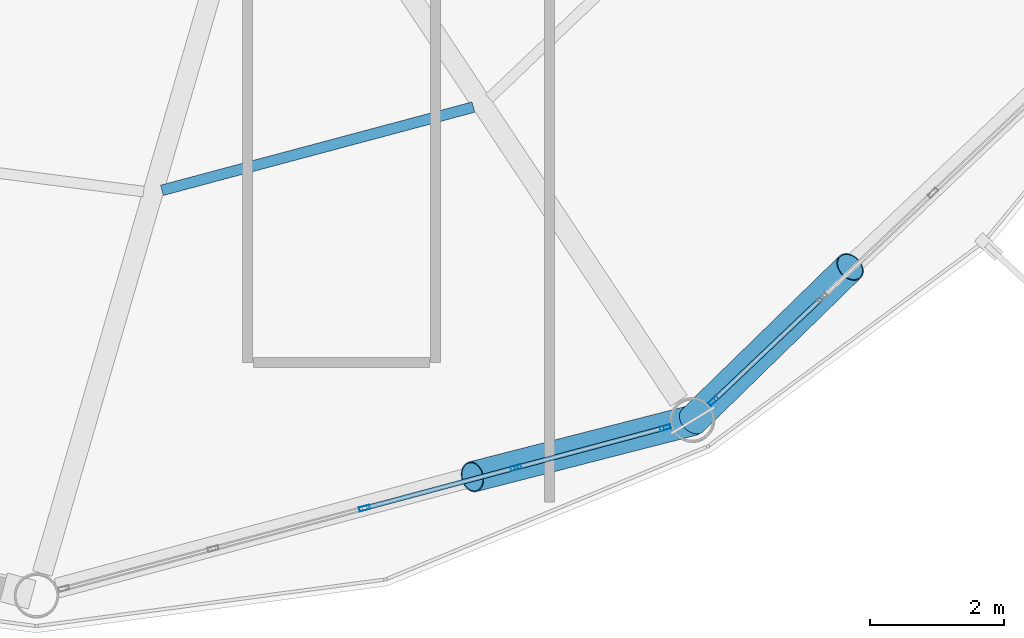
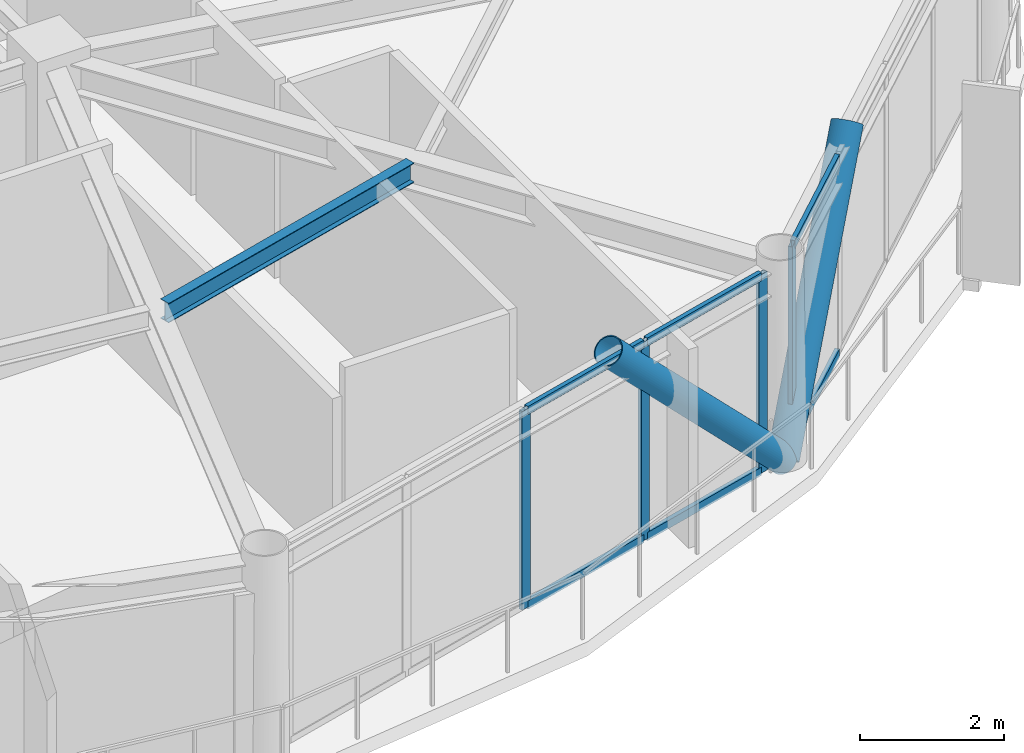
# One storey, part 9 of 29: 12 members, 1 beam, 2 elements without a shape of their own.
"""IFC4 building model written with IfcOpenShell, lengths in metres."""

from ifc_helpers import new_model, si_unit, direction, frame, origin, origin_2d, place, context, subcontext, project, spatial, hollow_rectangle, hollow_circle, i_section, extrude, material, layer, layer_set, material_profile, profile_set, type_object, element, aggregate, save


model = new_model("IFC4")

# Units and contexts
model_context = context("Model", 3, precision=1e-05, world=origin(), true_north=direction((0.0, 1.0)))
body_context = subcontext(model_context, "Body", "Model", "MODEL_VIEW")
ifc_project = project(units=[si_unit("LENGTHUNIT", "METRE"), si_unit("AREAUNIT", "SQUARE_METRE"), si_unit("VOLUMEUNIT", "CUBIC_METRE"), si_unit("PLANEANGLEUNIT", "RADIAN"), si_unit("MASSUNIT", "GRAM", prefix="KILO")], contexts=[model_context])

# Site, building, storey
site_placement = place(None, origin())
site = spatial("IfcSite", under=ifc_project, at=site_placement, CompositionType="ELEMENT")
building_placement = place(site_placement, origin())
building = spatial("IfcBuilding", under=site, at=building_placement, Name="Varnakorn Sky Granary", CompositionType="ELEMENT")
storey_placement = place(building_placement, frame((0.0, 0.0, 182.39990234375)))
storey = spatial("IfcBuildingStorey", under=building, at=storey_placement, Name="L45", CompositionType="ELEMENT", Elevation=182.39990234375)

# Beam
ifc_material_1 = material(Name="Steel S355JR", Category="steel")
ifc_material_profile_1 = material_profile(ifc_material_1, i_section(OverallWidth=0.159912109375, OverallDepth=0.330078125, WebThickness=0.007568359375, FlangeThickness=0.011474609375, at=origin_2d()), Name="IPE 330")
ifc_profile_set_1 = profile_set([ifc_material_profile_1], Name="Steel S355JR")
beam_type = type_object("IfcBeamType", Name="BM-SEC-Z4", PredefinedType="BEAM", material=ifc_profile_set_1)
beam_placement = place(storey_placement, frame((6.72265625, -12.631103515625, 3.195068359375), z_axis=(0.966103338675, 0.258155648787, 0.0), x_axis=(-0.258155648787, 0.966103338675, 0.0)))
element("IfcBeam", 1, at=beam_placement, inside=storey, type_object=beam_type, Name="Secondary Floor Chord Beam MSB10 L45", PredefinedType="BEAM", context=body_context, shape_type="SweptSolid", body=[
    extrude(i_section(OverallWidth=0.159912109375, OverallDepth=0.330078125, WebThickness=0.007568359375, FlangeThickness=0.011474609375, at=origin_2d()), origin(), (0.0, 0.0, 1.0), 4.80810546875),
])

# Curtain wall, members
ifc_material_2 = material(Name="Anodised Bronze Aluminium Alloy 6063-T6", Category="aluminium")
ifc_layer = layer(ifc_material_2, 0.169921875, Name="Anodised Bronze Aluminium Alloy 6063-T6")
ifc_layer_set = layer_set([ifc_layer], Name="Anodised Bronze Aluminium Alloy 6063-T6")
curtain_wall_type = type_object("IfcCurtainWallType", Name="CW-LAB-1", PredefinedType="USERDEFINED", material=ifc_layer_set)
curtain_wall_1_placement = place(storey_placement, origin())
curtain_wall_1 = element("IfcCurtainWall", 2, at=curtain_wall_1_placement, inside=storey, type_object=curtain_wall_type, Name="Unitised Curtain Wall CW5 CW-L45-B10", ObjectType="CURTAIN WALL", PredefinedType="USERDEFINED")
ifc_material_profile_2 = material_profile(ifc_material_2, hollow_rectangle(XDim=0.06494140625, YDim=0.159912109375, WallThickness=0.00341796875, at=origin_2d()), Name="ALU MULL 65x160")
ifc_profile_set_2 = profile_set([ifc_material_profile_2], Name="Anodised Bronze Aluminium Alloy 6063-T6")
member_type_1 = type_object("IfcMemberType", Name="CW-LAB-1-MULL", PredefinedType="MULLION", material=ifc_profile_set_2)
member_1_placement = place(storey_placement, frame((14.23193359375, -16.17138671875, 0.0), z_axis=(0.0, 0.0, 1.0), x_axis=(0.25850488691, -0.966009949971, 0.0)))
member_1 = element("IfcMember", 3, at=member_1_placement, type_object=member_type_1, Name="CW5 mullion 1", PredefinedType="MULLION", context=body_context, shape_type="SweptSolid", body=[
    extrude(hollow_rectangle(XDim=0.06494140625, YDim=0.159912109375, WallThickness=0.00341796875, at=origin_2d()), origin(), (0.0, 0.0, 1.0), 3.360107421875),
])
member_2_placement = place(storey_placement, frame((12.004150390625, -16.767578125, 0.0), z_axis=(0.0, 0.0, 1.0), x_axis=(0.25850488691, -0.966009949971, 0.0)))
member_2 = element("IfcMember", 4, at=member_2_placement, type_object=member_type_1, Name="CW5 mullion 2", PredefinedType="MULLION", context=body_context, shape_type="SweptSolid", body=[
    extrude(hollow_rectangle(XDim=0.06494140625, YDim=0.159912109375, WallThickness=0.00341796875, at=origin_2d()), origin(), (0.0, 0.0, 1.0), 3.360107421875),
])
member_3_placement = place(storey_placement, frame((9.7451171875, -17.3720703125, 0.0), z_axis=(0.0, 0.0, 1.0), x_axis=(0.25850488691, -0.966009949971, 0.0)))
member_3 = element("IfcMember", 5, at=member_3_placement, type_object=member_type_1, Name="CW5 mullion 3", PredefinedType="MULLION", context=body_context, shape_type="SweptSolid", body=[
    extrude(hollow_rectangle(XDim=0.06494140625, YDim=0.159912109375, WallThickness=0.00341796875, at=origin_2d()), origin(), (0.0, 0.0, 1.0), 3.360107421875),
])

# Curtain wall, member
curtain_wall_2_placement = place(storey_placement, origin())
curtain_wall_2 = element("IfcCurtainWall", 6, at=curtain_wall_2_placement, inside=storey, type_object=curtain_wall_type, Name="Unitised Curtain Wall CW5 CW-L45-B11", ObjectType="CURTAIN WALL", PredefinedType="USERDEFINED")
member_4_placement = place(storey_placement, frame((14.94677734375, -15.771728515625, 0.0), z_axis=(0.0, 0.0, 1.0), x_axis=(0.687692477005, -0.726002105418, 0.0)))
member_4 = element("IfcMember", 7, at=member_4_placement, type_object=member_type_1, Name="CW5 mullion 5", PredefinedType="MULLION", context=body_context, shape_type="SweptSolid", body=[
    extrude(hollow_rectangle(XDim=0.06494140625, YDim=0.159912109375, WallThickness=0.00341796875, at=origin_2d()), origin(), (0.0, 0.0, 1.0), 3.360107421875),
])

# Member
ifc_material_profile_3 = material_profile(ifc_material_2, hollow_rectangle(XDim=0.070068359375, YDim=0.139892578125, WallThickness=0.00341796875, at=origin_2d()), Name="ALU TRAN 70x140")
ifc_profile_set_3 = profile_set([ifc_material_profile_3], Name="Anodised Bronze Aluminium Alloy 6063-T6")
member_type_2 = type_object("IfcMemberType", Name="CW-LAB-1-TRAN", PredefinedType="USERDEFINED", material=ifc_profile_set_3)
member_5_placement = place(storey_placement, frame((14.200439453125, -16.1796875, 0.03515625), z_axis=(-0.966004914921, -0.258523701715, 0.0), x_axis=(0.258523701715, -0.966004914921, 0.0)))
member_5 = element("IfcMember", 8, at=member_5_placement, type_object=member_type_2, Name="CW5 transom 1.1", ObjectType="TRANSOM", PredefinedType="USERDEFINED", context=body_context, shape_type="SweptSolid", body=[
    extrude(hollow_rectangle(XDim=0.070068359375, YDim=0.139892578125, WallThickness=0.00341796875, at=origin_2d()), origin(), (0.0, 0.0, 1.0), 2.240966796875),
])

member_6_placement = place(storey_placement, frame((14.200439453125, -16.1796875, 3.3251953125), z_axis=(-0.966004914921, -0.258523701715, 0.0), x_axis=(0.258523701715, -0.966004914921, 0.0)))
member_6 = element("IfcMember", 9, at=member_6_placement, type_object=member_type_2, Name="CW5 transom 1.2", ObjectType="TRANSOM", PredefinedType="USERDEFINED", context=body_context, shape_type="SweptSolid", body=[
    extrude(hollow_rectangle(XDim=0.070068359375, YDim=0.139892578125, WallThickness=0.00341796875, at=origin_2d()), origin(), (0.0, 0.0, 1.0), 2.240966796875),
])

member_7_placement = place(storey_placement, frame((11.97265625, -16.77587890625, 0.03515625), z_axis=(-0.965992126932, -0.258571480842, 0.0), x_axis=(0.258571480842, -0.965992126932, 0.0)))
member_7 = element("IfcMember", 10, at=member_7_placement, type_object=member_type_2, Name="CW5 transom 2.1", ObjectType="TRANSOM", PredefinedType="USERDEFINED", context=body_context, shape_type="SweptSolid", body=[
    extrude(hollow_rectangle(XDim=0.070068359375, YDim=0.139892578125, WallThickness=0.00341796875, at=origin_2d()), origin(), (0.0, 0.0, 1.0), 2.273681640625),
])

member_8_placement = place(storey_placement, frame((11.97265625, -16.77587890625, 3.3251953125), z_axis=(-0.965992126932, -0.258571480842, 0.0), x_axis=(0.258571480842, -0.965992126932, 0.0)))
member_8 = element("IfcMember", 11, at=member_8_placement, type_object=member_type_2, Name="CW5 transom 2.2", ObjectType="TRANSOM", PredefinedType="USERDEFINED", context=body_context, shape_type="SweptSolid", body=[
    extrude(hollow_rectangle(XDim=0.070068359375, YDim=0.139892578125, WallThickness=0.00341796875, at=origin_2d()), origin(), (0.0, 0.0, 1.0), 2.273681640625),
])

aggregate(curtain_wall_1, [member_1, member_2, member_3, member_5, member_6, member_7, member_8])

member_9_placement = place(storey_placement, frame((16.549560546875, -14.253173828125, 0.03515625), z_axis=(-0.725982172965, -0.687713519234, 0.0), x_axis=(0.687713519234, -0.725982172965, 0.0)))
member_9 = element("IfcMember", 12, at=member_9_placement, type_object=member_type_2, Name="CW5 transom 4.1", ObjectType="TRANSOM", PredefinedType="USERDEFINED", context=body_context, shape_type="SweptSolid", body=[
    extrude(hollow_rectangle(XDim=0.070068359375, YDim=0.139892578125, WallThickness=0.00341796875, at=origin_2d()), origin(), (0.0, 0.0, 1.0), 2.175537109375),
])

member_10_placement = place(storey_placement, frame((16.549560546875, -14.253173828125, 3.3251953125), z_axis=(-0.725982172965, -0.687713519234, 0.0), x_axis=(0.687713519234, -0.725982172965, 0.0)))
member_10 = element("IfcMember", 13, at=member_10_placement, type_object=member_type_2, Name="CW5 transom 4.2", ObjectType="TRANSOM", PredefinedType="USERDEFINED", context=body_context, shape_type="SweptSolid", body=[
    extrude(hollow_rectangle(XDim=0.070068359375, YDim=0.139892578125, WallThickness=0.00341796875, at=origin_2d()), origin(), (0.0, 0.0, 1.0), 2.175537109375),
])

aggregate(curtain_wall_2, [member_4, member_9, member_10])

# Members
ifc_material_3 = material(Name="Steel S460M", Category="steel")
ifc_material_profile_4 = material_profile(ifc_material_3, hollow_circle(Radius=0.228515625, WallThickness=0.01611328125, at=origin_2d()), Name="CHS 457x16")
ifc_profile_set_4 = profile_set([ifc_material_profile_4], Name="Steel S460M")
member_type_3 = type_object("IfcMemberType", Name="MB-DIAG-T3", PredefinedType="BRACE", material=ifc_profile_set_4)
member_11_placement = place(storey_placement, frame((14.639892578125, -16.062255859375, 0.0), z_axis=(-0.675152729438, -0.173064634561, 0.71708955103), x_axis=(0.248306085269, -0.968681623661, 0.0)))
element("IfcMember", 14, at=member_11_placement, inside=storey, type_object=member_type_3, Name="Perimeter CHS Diagrid Brace DG10 L45", PredefinedType="BRACE", context=body_context, shape_type="SweptSolid", body=[
    extrude(hollow_circle(Radius=0.228515625, WallThickness=0.01611328125, at=origin_2d()), origin(), (0.0, 0.0, 1.0), 4.866943359375),
])
member_12_placement = place(storey_placement, frame((14.639892578125, -16.062255859375, 0.0), z_axis=(0.490133485557, 0.477946437799, 0.728928233046), x_axis=(-0.698149775341, 0.715951738032, 0.0)))
element("IfcMember", 15, at=member_12_placement, inside=storey, type_object=member_type_3, Name="Perimeter CHS Diagrid Brace DG11 L45", PredefinedType="BRACE", context=body_context, shape_type="SweptSolid", body=[
    extrude(hollow_circle(Radius=0.228515625, WallThickness=0.01611328125, at=origin_2d()), origin(), (0.0, 0.0, 1.0), 4.787841796875),
])

save(model, "model.ifc")
